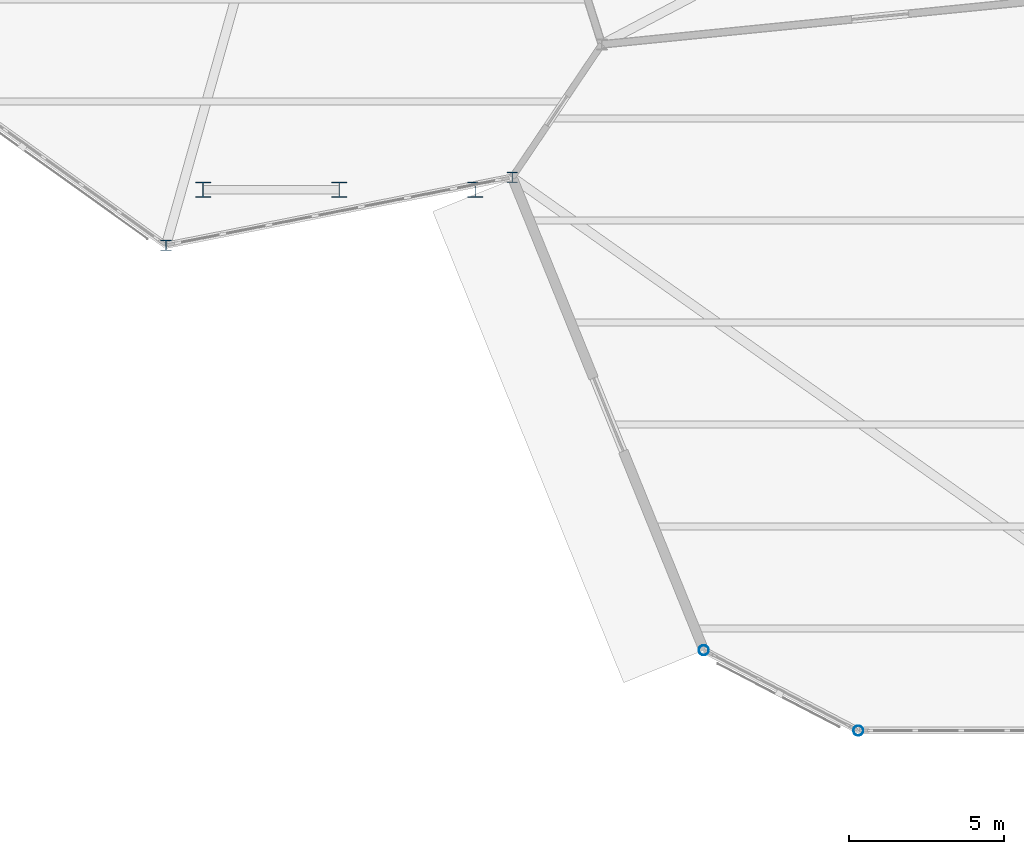
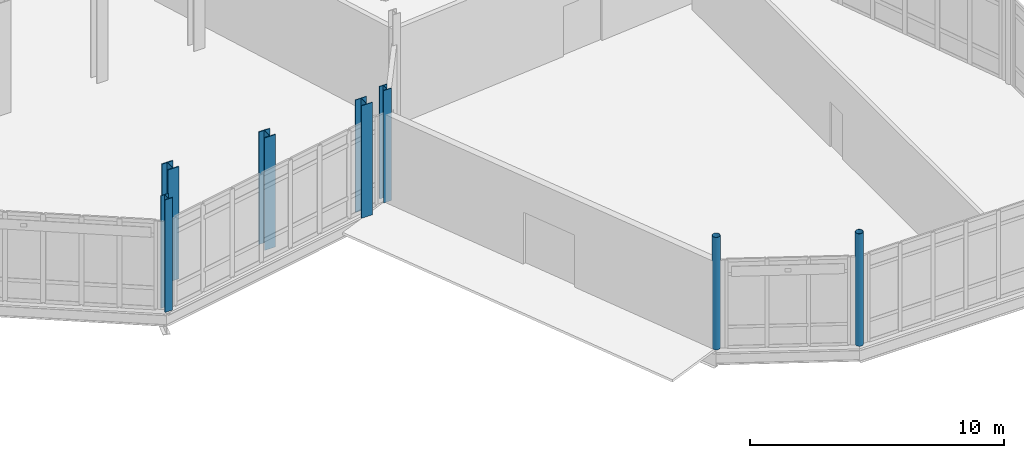
# One storey, part 17 of 113: 7 columns.
"""IFC4 building model written with IfcOpenShell, lengths in metres."""

from ifc_helpers import new_model, si_unit, direction, frame, origin, origin_2d, place, context, subcontext, project, spatial, hollow_circle, i_section, extrude, material, material_profile, profile_set, type_object, element, save


model = new_model("IFC4")

# Units and contexts
model_context = context("Model", 3, precision=1e-05, world=origin(), true_north=direction((0.0, 1.0)))
body_context = subcontext(model_context, "Body", "Model", "MODEL_VIEW")
ifc_project = project(units=[si_unit("LENGTHUNIT", "METRE"), si_unit("AREAUNIT", "SQUARE_METRE"), si_unit("VOLUMEUNIT", "CUBIC_METRE"), si_unit("PLANEANGLEUNIT", "RADIAN"), si_unit("MASSUNIT", "GRAM", prefix="KILO")], contexts=[model_context])

# Site, building, storey
site_placement = place(None, origin())
site = spatial("IfcSite", under=ifc_project, at=site_placement, CompositionType="ELEMENT")
building_placement = place(site_placement, origin())
building = spatial("IfcBuilding", under=site, at=building_placement, Name="Tameran Prism Museum", CompositionType="ELEMENT")
storey_placement = place(building_placement, origin())
storey = spatial("IfcBuildingStorey", under=building, at=storey_placement, Name="L00", CompositionType="ELEMENT", Elevation=0.0)

# Columns
ifc_material_1 = material(Name="Steel Grade C350L0 (350 MPa)", Category="steel")
ifc_material_profile_1 = material_profile(ifc_material_1, hollow_circle(Radius=0.161865234375, WallThickness=0.010009765625, at=origin_2d()))
ifc_profile_set_1 = profile_set([ifc_material_profile_1])
column_type_1 = type_object("IfcColumnType", Name="COL-CHS324", PredefinedType="COLUMN", material=ifc_profile_set_1)
for number, where, z_axis, x_axis, name in (
    (1, (147.300048828125, 2.60009765625, 0.0), (0.0, 0.0, 1.0), (1.0, 0.0, 0.0), "Column CV-62 L00"),
    (2, (152.300048828125, 0.0, 0.0), (0.0, 0.0, 1.0), (1.0, 0.0, 0.0), "Column CV-64 L00"),
):
    element("IfcColumn", number, at=place(storey_placement, frame(where, z_axis=z_axis, x_axis=x_axis)), inside=storey, type_object=column_type_1, Name=name, PredefinedType="COLUMN", context=body_context, shape_type="SweptSolid", body=[
        extrude(hollow_circle(Radius=0.161865234375, WallThickness=0.010009765625, at=origin_2d()), origin(), (0.0, 0.0, 1.0), 5.39990234375),
    ])
ifc_material_2 = material(Name="Steel Grade 350 (350 MPa)", Category="steel")
ifc_material_profile_2 = material_profile(ifc_material_2, i_section(OverallWidth=0.35009765625, OverallDepth=0.35009765625, WebThickness=0.02001953125, FlangeThickness=0.028076171875, at=origin_2d()))
ifc_profile_set_2 = profile_set([ifc_material_profile_2])
column_type_2 = type_object("IfcColumnType", Name="COL-WC350", PredefinedType="COLUMN", material=ifc_profile_set_2)
for number, where, z_axis, x_axis, name in (
    (3, (129.89990234375, 15.699951171875, 0.0), (0.0, 0.0, 1.0), (1.0, 0.0, 0.0), "Column CV-52 L00"),
    (4, (141.10009765625, 17.89990234375, 0.0), (0.0, 0.0, 1.0), (1.0, 0.0, 0.0), "Column CV-59 L00"),
):
    element("IfcColumn", number, at=place(storey_placement, frame(where, z_axis=z_axis, x_axis=x_axis)), inside=storey, type_object=column_type_2, Name=name, PredefinedType="COLUMN", context=body_context, shape_type="SweptSolid", body=[
        extrude(i_section(OverallWidth=0.35009765625, OverallDepth=0.35009765625, WebThickness=0.02001953125, FlangeThickness=0.028076171875, at=origin_2d()), origin(), (0.0, 0.0, 1.0), 5.39990234375),
    ])
ifc_material_3 = material(Name="Steel Grade 350 (350 MPa)", Category="steel")
ifc_material_profile_3 = material_profile(ifc_material_3, i_section(OverallWidth=0.5, OverallDepth=0.5, WebThickness=0.02197265625, FlangeThickness=0.035888671875, at=origin_2d()))
ifc_profile_set_3 = profile_set([ifc_material_profile_3])
column_type_3 = type_object("IfcColumnType", Name="COL-WC500", PredefinedType="COLUMN", material=ifc_profile_set_3)
for number, where, z_axis, x_axis, name in (
    (5, (131.10009765625, 17.5, 0.0), (0.0, 0.0, 1.0), (1.0, 0.0, 0.0), "Column CT-1F L00"),
    (6, (135.5, 17.5, 0.0), (0.0, 0.0, 1.0), (1.0, 0.0, 0.0), "Column CT-2F L00"),
    (7, (139.89990234375, 17.5, 0.0), (0.0, 0.0, 1.0), (1.0, 0.0, 0.0), "Column CT-3F L00"),
):
    element("IfcColumn", number, at=place(storey_placement, frame(where, z_axis=z_axis, x_axis=x_axis)), inside=storey, type_object=column_type_3, Name=name, PredefinedType="COLUMN", context=body_context, shape_type="SweptSolid", body=[
        extrude(i_section(OverallWidth=0.5, OverallDepth=0.5, WebThickness=0.02197265625, FlangeThickness=0.035888671875, at=origin_2d()), origin(), (0.0, 0.0, 1.0), 5.39990234375),
    ])

save(model, "model.ifc")
